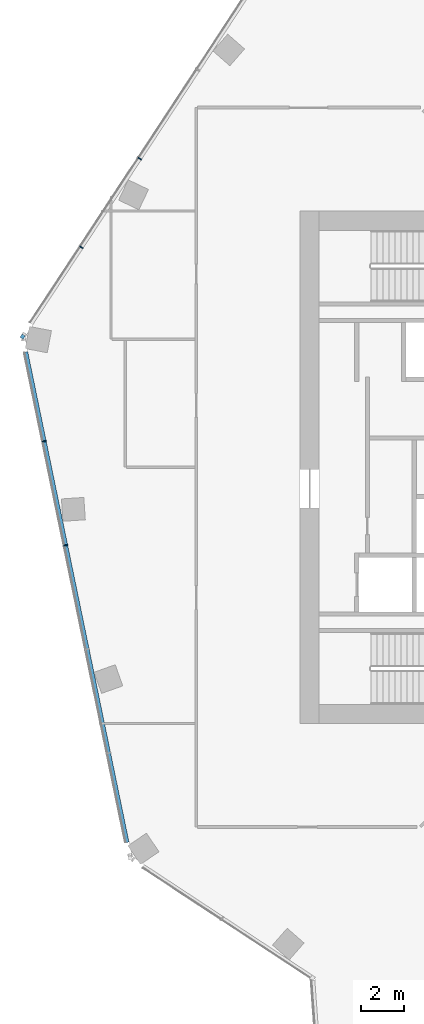
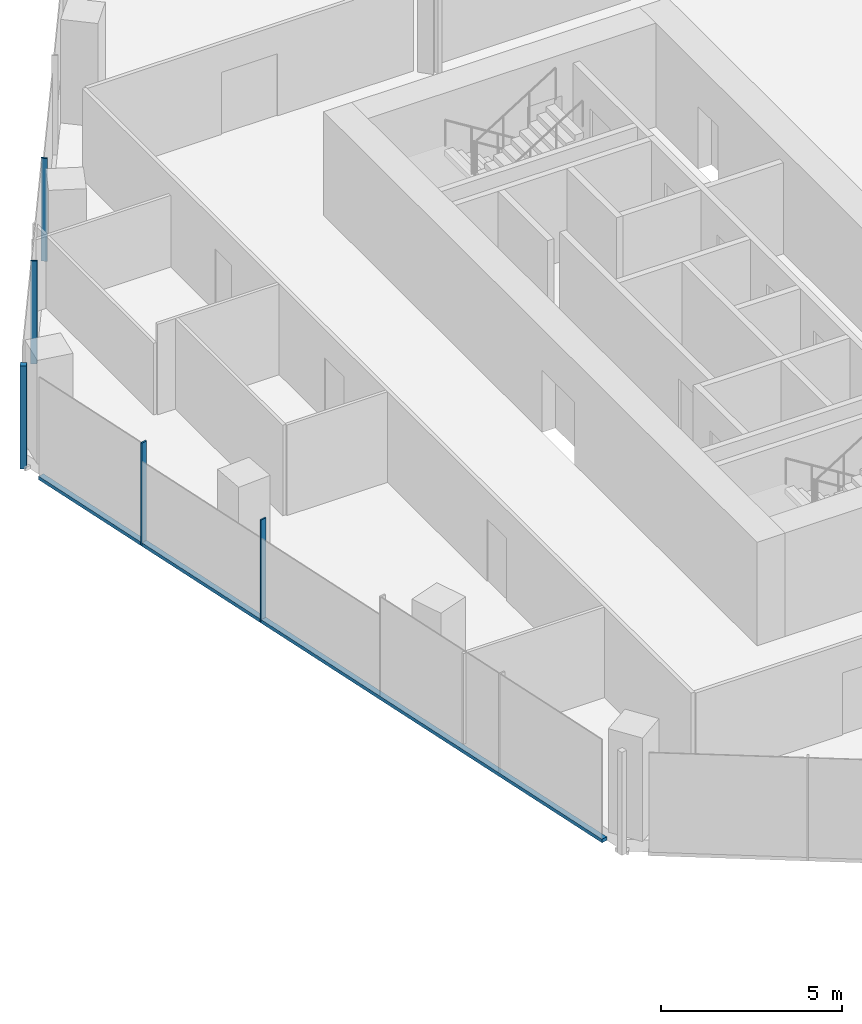
# One storey, part 6 of 24: 6 members, 2 elements without a shape of their own.
"""IFC4 building model written with IfcOpenShell, lengths in metres."""

from ifc_helpers import new_model, si_unit, direction, frame, origin, origin_2d, place, context, subcontext, project, spatial, rectangle, extrude, material, material_profile, profile_set, type_object, element, aggregate, save


model = new_model("IFC4")

# Units and contexts
model_context = context("Model", 3, precision=1e-05, world=origin(), true_north=direction((0.0, 1.0)))
body_context = subcontext(model_context, "Body", "Model", "MODEL_VIEW")
ifc_project = project(units=[si_unit("LENGTHUNIT", "METRE"), si_unit("AREAUNIT", "SQUARE_METRE"), si_unit("VOLUMEUNIT", "CUBIC_METRE"), si_unit("PLANEANGLEUNIT", "RADIAN"), si_unit("MASSUNIT", "GRAM", prefix="KILO")], contexts=[model_context])

# Site, building, storey
site_placement = place(None, origin())
site = spatial("IfcSite", under=ifc_project, at=site_placement, CompositionType="ELEMENT")
building_placement = place(site_placement, origin())
building = spatial("IfcBuilding", under=site, at=building_placement, Name="Orlundy Tower", CompositionType="ELEMENT")
storey_placement = place(building_placement, frame((0.0, 0.0, 246.0)))
storey = spatial("IfcBuildingStorey", under=building, at=storey_placement, Name="L65", CompositionType="ELEMENT", Elevation=246.0)

# Curtain wall, member
ifc_material_1 = material(Name="Aluminium bronze anodised", Category="aluminium")
curtain_wall_type = type_object("IfcCurtainWallType", Name="CW1 wall", PredefinedType="NOTDEFINED", material=ifc_material_1)
curtain_wall_1_placement = place(storey_placement, origin())
curtain_wall_1 = element("IfcCurtainWall", 1, at=curtain_wall_1_placement, inside=storey, type_object=curtain_wall_type, Name="CW1 run 015", PredefinedType="NOTDEFINED")
ifc_material_2 = material(Name="Aluminium bronze anodised", Category="aluminium")
ifc_material_profile_1 = material_profile(ifc_material_2, rectangle(XDim=0.179931640625, YDim=0.179931640625, at=origin_2d()), Name="CW1 corner post 180x180")
ifc_profile_set_1 = profile_set([ifc_material_profile_1], Name="Aluminium bronze anodised")
member_type_1 = type_object("IfcMemberType", Name="CW1 corner post 180x180", PredefinedType="MULLION", material=ifc_profile_set_1)
member_1_placement = place(storey_placement, frame((-31.98876953125, 6.121337890625, -0.39990234375), z_axis=(0.0, 0.0, 1.0), x_axis=(-0.835482225793, 0.5495174705, 0.0)))
member_1 = element("IfcMember", 2, at=member_1_placement, type_object=member_type_1, Name="CW1 mullion 27", PredefinedType="MULLION", context=body_context, shape_type="SweptSolid", body=[
    extrude(rectangle(XDim=0.179931640625, YDim=0.179931640625, at=origin_2d()), origin(), (0.0, 0.0, 1.0), 3.47998046875),
])

# Curtain wall, members
curtain_wall_2_placement = place(storey_placement, origin())
curtain_wall_2 = element("IfcCurtainWall", 3, at=curtain_wall_2_placement, inside=storey, type_object=curtain_wall_type, Name="CW1 run 014", PredefinedType="NOTDEFINED")
ifc_material_3 = material(Name="Aluminium bronze anodised", Category="aluminium")
ifc_material_profile_2 = material_profile(ifc_material_3, rectangle(XDim=0.179931640625, YDim=0.050048828125, at=origin_2d()), Name="CW1 mullion 50x180")
ifc_profile_set_2 = profile_set([ifc_material_profile_2], Name="Aluminium bronze anodised")
member_type_2 = type_object("IfcMemberType", Name="CW1 mullion 50x180", PredefinedType="MULLION", material=ifc_profile_set_2)
member_2_placement = place(storey_placement, frame((-29.970703125, -3.65087890625, -0.39990234375), z_axis=(0.0, 0.0, 1.0), x_axis=(-0.979337428215, -0.202233038095, 0.0)))
member_2 = element("IfcMember", 4, at=member_2_placement, type_object=member_type_2, Name="CW1 mullion 25", PredefinedType="MULLION", context=body_context, shape_type="SweptSolid", body=[
    extrude(rectangle(XDim=0.179931640625, YDim=0.050048828125, at=origin_2d()), origin(), (0.0, 0.0, 1.0), 3.47998046875),
])
member_3_placement = place(storey_placement, frame((-30.975830078125, 1.217041015625, -0.39990234375), z_axis=(0.0, 0.0, 1.0), x_axis=(-0.979337428215, -0.202233038095, 0.0)))
member_3 = element("IfcMember", 5, at=member_3_placement, type_object=member_type_2, Name="CW1 mullion 26", PredefinedType="MULLION", context=body_context, shape_type="SweptSolid", body=[
    extrude(rectangle(XDim=0.179931640625, YDim=0.050048828125, at=origin_2d()), origin(), (0.0, 0.0, 1.0), 3.47998046875),
])

# Member
member_4_placement = place(storey_placement, frame((-29.23681640625, 10.30517578125, -0.39990234375), z_axis=(0.0, 0.0, 1.0), x_axis=(-0.835482225793, 0.5495174705, 0.0)))
member_4 = element("IfcMember", 6, at=member_4_placement, type_object=member_type_2, Name="CW1 mullion 28", PredefinedType="MULLION", context=body_context, shape_type="SweptSolid", body=[
    extrude(rectangle(XDim=0.179931640625, YDim=0.050048828125, at=origin_2d()), origin(), (0.0, 0.0, 1.0), 3.47998046875),
])

member_5_placement = place(storey_placement, frame((-26.50537109375, 14.4580078125, -0.39990234375), z_axis=(0.0, 0.0, 1.0), x_axis=(-0.835482225793, 0.5495174705, 0.0)))
member_5 = element("IfcMember", 7, at=member_5_placement, type_object=member_type_2, Name="CW1 mullion 29", PredefinedType="MULLION", context=body_context, shape_type="SweptSolid", body=[
    extrude(rectangle(XDim=0.179931640625, YDim=0.050048828125, at=origin_2d()), origin(), (0.0, 0.0, 1.0), 3.47998046875),
])

aggregate(curtain_wall_1, [member_1, member_4, member_5])

ifc_material_4 = material(Name="Aluminium bronze anodised", Category="aluminium")
ifc_material_profile_3 = material_profile(ifc_material_4, rectangle(XDim=0.179931640625, YDim=0.1201171875, at=origin_2d()), Name="CW1 transom 180x120")
ifc_profile_set_3 = profile_set([ifc_material_profile_3], Name="Aluminium bronze anodised")
member_type_3 = type_object("IfcMemberType", Name="CW1 transom 180x120", PredefinedType="USERDEFINED", material=ifc_profile_set_3)
member_6_placement = place(storey_placement, frame((-27.095458984375, -17.57470703125, -0.340087890625), z_axis=(-0.202238841113, 0.979336229875, 0.0), x_axis=(-0.979336229875, -0.202238841113, 0.0)))
member_6 = element("IfcMember", 8, at=member_6_placement, type_object=member_type_3, Name="CW1 transom", ObjectType="TRANSOM", PredefinedType="USERDEFINED", context=body_context, shape_type="SweptSolid", body=[
    extrude(rectangle(XDim=0.179931640625, YDim=0.1201171875, at=origin_2d()), origin(), (0.0, 0.0, 1.0), 23.46533203125),
])

aggregate(curtain_wall_2, [member_2, member_3, member_6])

save(model, "model.ifc")
